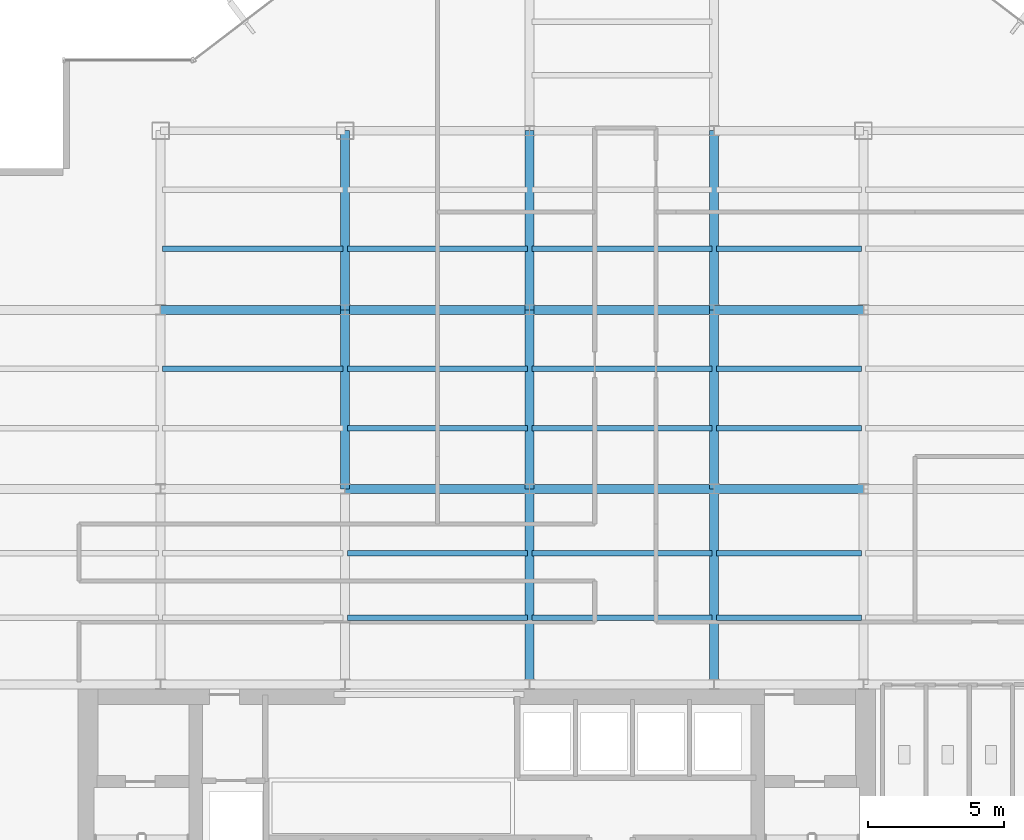
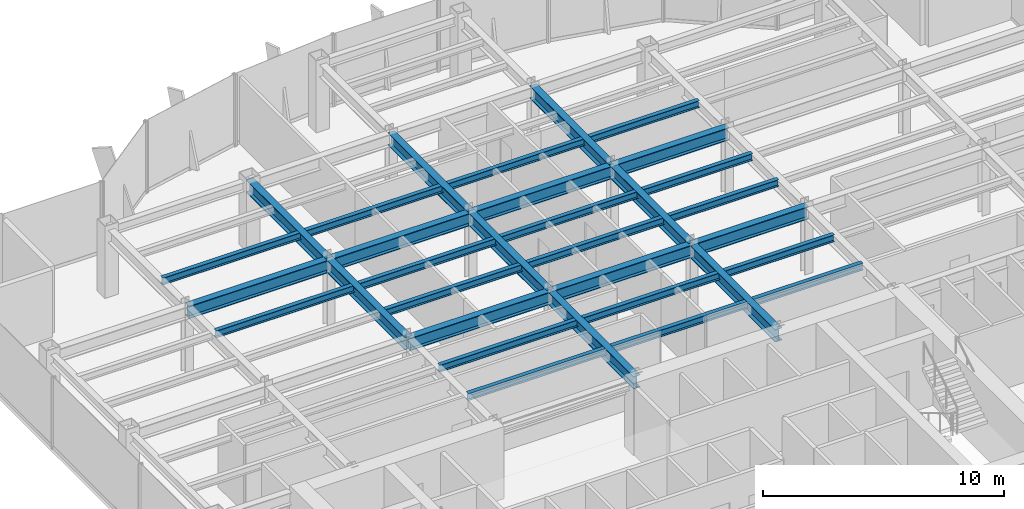
# One storey, part 8 of 25: 32 beams.
"""IFC4 building model written with IfcOpenShell, lengths in metres."""

from ifc_helpers import new_model, si_unit, derived_unit, direction, frame, origin, origin_2d, place, context, subcontext, project, spatial, i_section, extrude, source, transform, mapped, material, material_profile, profile_set, type_object, element, save


model = new_model("IFC4")

# Units and contexts
model_context = context("Model", 3, precision=1e-05, world=origin(), true_north=direction((0.0, 1.0)))
body_context = subcontext(model_context, "Body", "Model", "MODEL_VIEW")
ifc_project = project(units=[si_unit("LENGTHUNIT", "METRE"), si_unit("AREAUNIT", "SQUARE_METRE"), si_unit("VOLUMEUNIT", "CUBIC_METRE"), si_unit("PLANEANGLEUNIT", "RADIAN"), si_unit("MASSUNIT", "GRAM", prefix="KILO"), derived_unit("THERMALTRANSMITTANCEUNIT", [(si_unit("POWERUNIT", "WATT"), 1), (si_unit("LENGTHUNIT", "METRE"), -2), (si_unit("THERMODYNAMICTEMPERATUREUNIT", "KELVIN"), -1)])], contexts=[model_context])

# Site, building, storey
site_placement = place(None, origin())
site = spatial("IfcSite", under=ifc_project, at=site_placement, CompositionType="ELEMENT")
building_placement = place(site_placement, origin())
building = spatial("IfcBuilding", under=site, at=building_placement, Name="Skarnbrae Concourse Arena and Tower", CompositionType="ELEMENT")
storey_placement = place(building_placement, frame((0.0, 0.0, 177.10009765625)))
storey = spatial("IfcBuildingStorey", under=building, at=storey_placement, Name="L45", CompositionType="ELEMENT", Elevation=177.10009765625)

# Beams
ifc_material = material(Name="Steel CSA G40.21 350W", Category="steel")
ifc_material_profile_1 = material_profile(ifc_material, i_section(OverallWidth=0.3291015625, OverallDepth=0.635009765625, WebThickness=0.017822265625, FlangeThickness=0.031005859375, at=origin_2d()), Name="W610X241")
ifc_profile_set_1 = profile_set([ifc_material_profile_1], Name="Steel CSA G40.21 350W")
beam_type_1 = type_object("IfcBeamType", Name="BM-GIRD-W610X241", PredefinedType="BEAM", material=ifc_profile_set_1)
shared_shape_1 = source(origin(), body_context, "Body", "SweptSolid", [
    extrude(i_section(OverallWidth=0.3291015625, OverallDepth=0.635009765625, WebThickness=0.017822265625, FlangeThickness=0.031005859375, at=origin_2d()), origin(), (0.0, 0.0, 1.0), 6.60009765625),
])
for number, where, z_axis, x_axis, name in (
    (1, (14.39990234375, 21.199951171875, 3.08251953125), (0.0, 1.0, 0.0), (-1.0, 0.0, 0.0), "L45 Primary N-S girder X14.4-2"),
    (2, (21.199951171875, 21.199951171875, 3.08251953125), (0.0, 1.0, 0.0), (-1.0, 0.0, 0.0), "L45 Primary N-S girder X21.2-2"),
    (3, (28.0, 21.199951171875, 3.08251953125), (0.0, 1.0, 0.0), (-1.0, 0.0, 0.0), "L45 Primary N-S girder X28.0-2"),
):
    element("IfcBeam", number, at=place(storey_placement, frame(where, z_axis=z_axis, x_axis=x_axis)), inside=storey, type_object=beam_type_1, Name=name, PredefinedType="BEAM", context=body_context, shape_type="MappedRepresentation", body=[
        mapped(shared_shape_1, transform((0.0, 0.0, 0.0))),
    ])
shared_shape_2 = source(origin(), body_context, "Body", "SweptSolid", [
    extrude(i_section(OverallWidth=0.3291015625, OverallDepth=0.635009765625, WebThickness=0.017822265625, FlangeThickness=0.031005859375, at=origin_2d()), origin(), (0.0, 0.0, 1.0), 6.7998046875),
])
beam_placement = place(storey_placement, frame((7.60009765625, 27.800048828125, 3.08251953125), z_axis=(1.0, 0.0, 0.0), x_axis=(0.0, 1.0, 0.0)))
element("IfcBeam", 4, at=beam_placement, inside=storey, type_object=beam_type_1, Name="L45 Primary E-W girder Y27.8-2", PredefinedType="BEAM", context=body_context, shape_type="MappedRepresentation", body=[
    mapped(shared_shape_2, transform((0.0, 0.0, 0.0))),
])
shared_shape_3 = source(origin(), body_context, "Body", "SweptSolid", [
    extrude(i_section(OverallWidth=0.3291015625, OverallDepth=0.635009765625, WebThickness=0.017822265625, FlangeThickness=0.031005859375, at=origin_2d()), origin(), (0.0, 0.0, 1.0), 6.800048828125),
])
for number, where, z_axis, x_axis, name in (
    (5, (14.39990234375, 21.199951171875, 3.08251953125), (1.0, 0.0, 0.0), (0.0, 1.0, 0.0), "L45 Primary E-W girder Y21.2-3"),
    (6, (21.199951171875, 21.199951171875, 3.08251953125), (1.0, 0.0, 0.0), (0.0, 1.0, 0.0), "L45 Primary E-W girder Y21.2-4"),
    (7, (14.39990234375, 27.800048828125, 3.08251953125), (1.0, 0.0, 0.0), (0.0, 1.0, 0.0), "L45 Primary E-W girder Y27.8-3"),
    (8, (21.199951171875, 27.800048828125, 3.08251953125), (1.0, 0.0, 0.0), (0.0, 1.0, 0.0), "L45 Primary E-W girder Y27.8-4"),
):
    element("IfcBeam", number, at=place(storey_placement, frame(where, z_axis=z_axis, x_axis=x_axis)), inside=storey, type_object=beam_type_1, Name=name, PredefinedType="BEAM", context=body_context, shape_type="MappedRepresentation", body=[
        mapped(shared_shape_3, transform((0.0, 0.0, 0.0))),
    ])
shared_shape_4 = source(origin(), body_context, "Body", "SweptSolid", [
    extrude(i_section(OverallWidth=0.3291015625, OverallDepth=0.635009765625, WebThickness=0.017822265625, FlangeThickness=0.031005859375, at=origin_2d()), origin(), (0.0, 0.0, 1.0), 5.5),
])
for number, where, z_axis, x_axis, name in (
    (9, (28.0, 21.199951171875, 3.08251953125), (1.0, 0.0, 0.0), (0.0, 1.0, 0.0), "L45 Primary E-W girder Y21.2-5"),
    (10, (28.0, 27.800048828125, 3.08251953125), (1.0, 0.0, 0.0), (0.0, 1.0, 0.0), "L45 Primary E-W girder Y27.8-5"),
):
    element("IfcBeam", number, at=place(storey_placement, frame(where, z_axis=z_axis, x_axis=x_axis)), inside=storey, type_object=beam_type_1, Name=name, PredefinedType="BEAM", context=body_context, shape_type="MappedRepresentation", body=[
        mapped(shared_shape_4, transform((0.0, 0.0, 0.0))),
    ])
shared_shape_5 = source(origin(), body_context, "Body", "SweptSolid", [
    extrude(i_section(OverallWidth=0.3291015625, OverallDepth=0.635009765625, WebThickness=0.017822265625, FlangeThickness=0.031005859375, at=origin_2d()), origin(), (0.0, 0.0, 1.0), 7.199951171875),
])
for number, where, z_axis, x_axis, name in (
    (11, (21.199951171875, 14.0, 3.08251953125), (0.0, 1.0, 0.0), (-1.0, 0.0, 0.0), "L45 Primary N-S girder X21.2-1"),
    (12, (28.0, 14.0, 3.08251953125), (0.0, 1.0, 0.0), (-1.0, 0.0, 0.0), "L45 Primary N-S girder X28.0-1"),
):
    element("IfcBeam", number, at=place(storey_placement, frame(where, z_axis=z_axis, x_axis=x_axis)), inside=storey, type_object=beam_type_1, Name=name, PredefinedType="BEAM", context=body_context, shape_type="MappedRepresentation", body=[
        mapped(shared_shape_5, transform((0.0, 0.0, 0.0))),
    ])
shared_shape_6 = source(origin(), body_context, "Body", "SweptSolid", [
    extrude(i_section(OverallWidth=0.3291015625, OverallDepth=0.635009765625, WebThickness=0.017822265625, FlangeThickness=0.031005859375, at=origin_2d()), origin(), (0.0, 0.0, 1.0), 6.599853515625),
])
for number, where, z_axis, x_axis, name in (
    (13, (14.39990234375, 27.800048828125, 3.08251953125), (0.0, 1.0, 0.0), (-1.0, 0.0, 0.0), "L45 Primary N-S girder X14.4-3"),
    (14, (21.199951171875, 27.800048828125, 3.08251953125), (0.0, 1.0, 0.0), (-1.0, 0.0, 0.0), "L45 Primary N-S girder X21.2-3"),
    (15, (28.0, 27.800048828125, 3.08251953125), (0.0, 1.0, 0.0), (-1.0, 0.0, 0.0), "L45 Primary N-S girder X28.0-3"),
):
    element("IfcBeam", number, at=place(storey_placement, frame(where, z_axis=z_axis, x_axis=x_axis)), inside=storey, type_object=beam_type_1, Name=name, PredefinedType="BEAM", context=body_context, shape_type="MappedRepresentation", body=[
        mapped(shared_shape_6, transform((0.0, 0.0, 0.0))),
    ])
ifc_material_profile_2 = material_profile(ifc_material, i_section(OverallWidth=0.205078125, OverallDepth=0.35400390625, WebThickness=0.009521484375, FlangeThickness=0.016845703125, at=origin_2d()), Name="W360X79")
ifc_profile_set_2 = profile_set([ifc_material_profile_2], Name="Steel CSA G40.21 350W")
beam_type_2 = type_object("IfcBeamType", Name="BM-JOIST-W360X79", PredefinedType="JOIST", material=ifc_profile_set_2)
shared_shape_7 = source(origin(), body_context, "Body", "SweptSolid", [
    extrude(i_section(OverallWidth=0.205078125, OverallDepth=0.35400390625, WebThickness=0.009521484375, FlangeThickness=0.016845703125, at=origin_2d()), origin(), (0.0, 0.0, 1.0), 6.64013671875),
])
for number, where, z_axis, x_axis, name in (
    (16, (14.47998046875, 16.447998046875, 3.222900390625), (1.0, 0.0, 0.0), (0.0, 1.0, 0.0), "L45 Secondary floor joist 1.1.3"),
    (17, (14.47998046875, 18.823974609375, 3.222900390625), (1.0, 0.0, 0.0), (0.0, 1.0, 0.0), "L45 Secondary floor joist 1.2.3"),
    (18, (14.47998046875, 23.444091796875, 3.222900390625), (1.0, 0.0, 0.0), (0.0, 1.0, 0.0), "L45 Secondary floor joist 2.1.3"),
    (19, (7.679931640625, 25.6220703125, 3.222900390625), (1.0, 0.0, 0.0), (0.0, 1.0, 0.0), "L45 Secondary floor joist 2.2.2"),
    (20, (14.47998046875, 25.6220703125, 3.222900390625), (1.0, 0.0, 0.0), (0.0, 1.0, 0.0), "L45 Secondary floor joist 2.2.3"),
    (21, (7.679931640625, 30.0439453125, 3.222900390625), (1.0, 0.0, 0.0), (0.0, 1.0, 0.0), "L45 Secondary floor joist 3.1.1"),
    (22, (14.47998046875, 30.0439453125, 3.222900390625), (1.0, 0.0, 0.0), (0.0, 1.0, 0.0), "L45 Secondary floor joist 3.1.2"),
):
    element("IfcBeam", number, at=place(storey_placement, frame(where, z_axis=z_axis, x_axis=x_axis)), inside=storey, type_object=beam_type_2, Name=name, PredefinedType="JOIST", context=body_context, shape_type="MappedRepresentation", body=[
        mapped(shared_shape_7, transform((0.0, 0.0, 0.0))),
    ])
shared_shape_8 = source(origin(), body_context, "Body", "SweptSolid", [
    extrude(i_section(OverallWidth=0.205078125, OverallDepth=0.35400390625, WebThickness=0.009521484375, FlangeThickness=0.016845703125, at=origin_2d()), origin(), (0.0, 0.0, 1.0), 6.639892578125),
])
for number, where, z_axis, x_axis, name in (
    (23, (21.280029296875, 16.447998046875, 3.222900390625), (1.0, 0.0, 0.0), (0.0, 1.0, 0.0), "L45 Secondary floor joist 1.1.4"),
    (24, (21.280029296875, 18.823974609375, 3.222900390625), (1.0, 0.0, 0.0), (0.0, 1.0, 0.0), "L45 Secondary floor joist 1.2.4"),
    (25, (21.280029296875, 23.444091796875, 3.222900390625), (1.0, 0.0, 0.0), (0.0, 1.0, 0.0), "L45 Secondary floor joist 2.1.4"),
    (26, (21.280029296875, 25.6220703125, 3.222900390625), (1.0, 0.0, 0.0), (0.0, 1.0, 0.0), "L45 Secondary floor joist 2.2.4"),
    (27, (21.280029296875, 30.0439453125, 3.222900390625), (1.0, 0.0, 0.0), (0.0, 1.0, 0.0), "L45 Secondary floor joist 3.1.3"),
):
    element("IfcBeam", number, at=place(storey_placement, frame(where, z_axis=z_axis, x_axis=x_axis)), inside=storey, type_object=beam_type_2, Name=name, PredefinedType="JOIST", context=body_context, shape_type="MappedRepresentation", body=[
        mapped(shared_shape_8, transform((0.0, 0.0, 0.0))),
    ])
shared_shape_9 = source(origin(), body_context, "Body", "SweptSolid", [
    extrude(i_section(OverallWidth=0.205078125, OverallDepth=0.35400390625, WebThickness=0.009521484375, FlangeThickness=0.016845703125, at=origin_2d()), origin(), (0.0, 0.0, 1.0), 5.33984375),
])
for number, where, z_axis, x_axis, name in (
    (28, (28.080078125, 16.447998046875, 3.222900390625), (1.0, 0.0, 0.0), (0.0, 1.0, 0.0), "L45 Secondary floor joist 1.1.5"),
    (29, (28.080078125, 18.823974609375, 3.222900390625), (1.0, 0.0, 0.0), (0.0, 1.0, 0.0), "L45 Secondary floor joist 1.2.5"),
    (30, (28.080078125, 23.444091796875, 3.222900390625), (1.0, 0.0, 0.0), (0.0, 1.0, 0.0), "L45 Secondary floor joist 2.1.5"),
    (31, (28.080078125, 25.6220703125, 3.222900390625), (1.0, 0.0, 0.0), (0.0, 1.0, 0.0), "L45 Secondary floor joist 2.2.5"),
    (32, (28.080078125, 30.0439453125, 3.222900390625), (1.0, 0.0, 0.0), (0.0, 1.0, 0.0), "L45 Secondary floor joist 3.1.4"),
):
    element("IfcBeam", number, at=place(storey_placement, frame(where, z_axis=z_axis, x_axis=x_axis)), inside=storey, type_object=beam_type_2, Name=name, PredefinedType="JOIST", context=body_context, shape_type="MappedRepresentation", body=[
        mapped(shared_shape_9, transform((0.0, 0.0, 0.0))),
    ])

save(model, "model.ifc")
